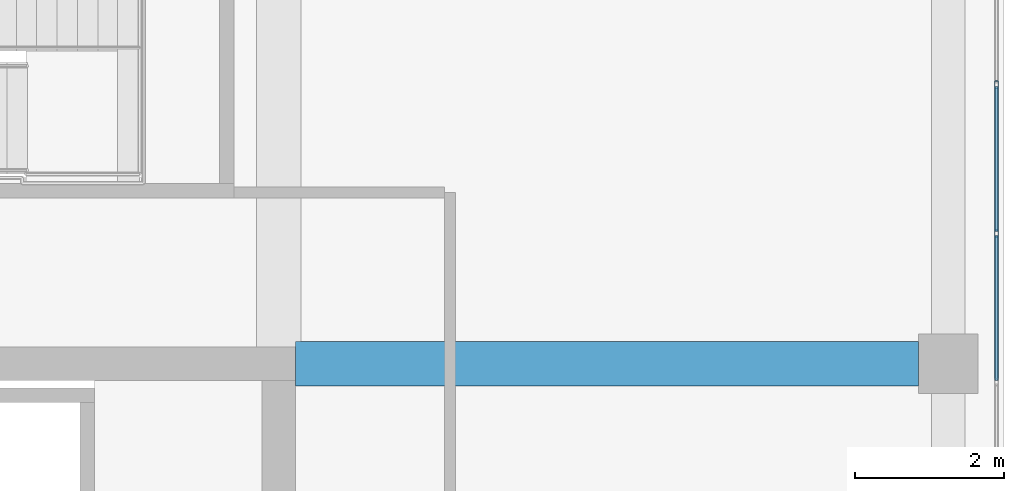
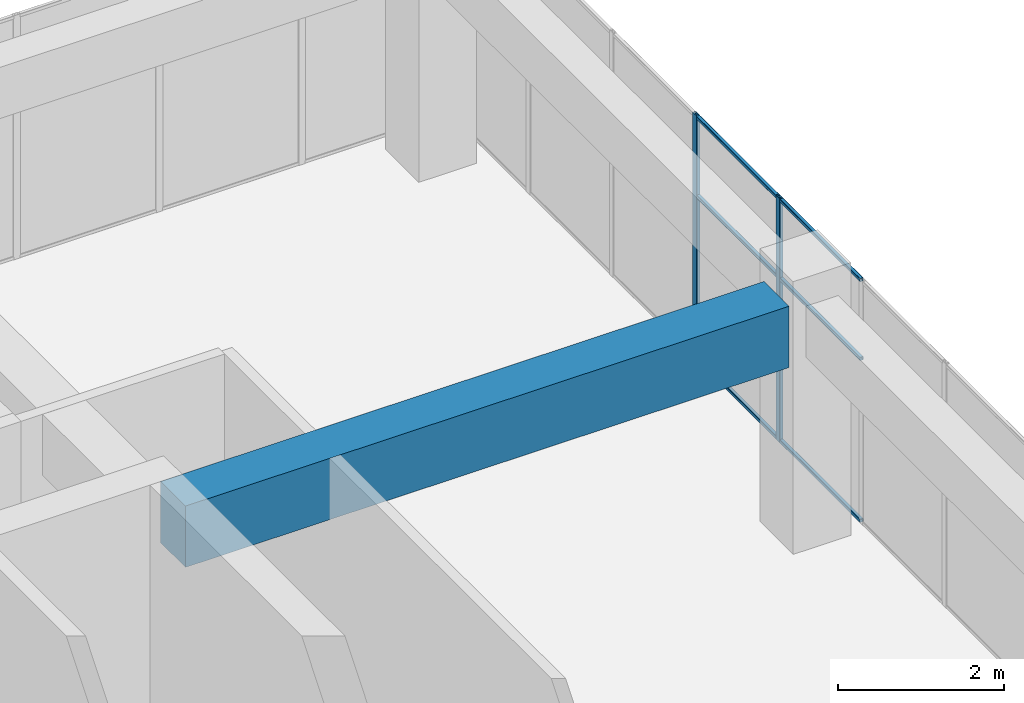
# One storey, part 51 of 72: 8 members, 1 beam, 1 element without a shape of its own.
"""IFC4 building model written with IfcOpenShell, lengths in metres."""

from ifc_helpers import new_model, si_unit, direction, frame, origin, origin_2d, place, context, subcontext, project, spatial, rectangle, hollow_rectangle, extrude, material, layer, layer_set, material_profile, profile_set, type_object, element, aggregate, save


model = new_model("IFC4")

# Units and contexts
model_context = context("Model", 3, precision=1e-05, world=origin(), true_north=direction((0.0, 1.0)))
body_context = subcontext(model_context, "Body", "Model", "MODEL_VIEW")
ifc_project = project(units=[si_unit("LENGTHUNIT", "METRE"), si_unit("AREAUNIT", "SQUARE_METRE"), si_unit("VOLUMEUNIT", "CUBIC_METRE"), si_unit("PLANEANGLEUNIT", "RADIAN"), si_unit("MASSUNIT", "GRAM", prefix="KILO")], contexts=[model_context])

# Site, building, storey
site_placement = place(None, origin())
site = spatial("IfcSite", under=ifc_project, at=site_placement, CompositionType="ELEMENT")
building_placement = place(site_placement, origin())
building = spatial("IfcBuilding", under=site, at=building_placement, Name="Tuart Plaza Theatre", CompositionType="ELEMENT")
storey_placement = place(building_placement, frame((0.0, 0.0, 13.5)))
storey = spatial("IfcBuildingStorey", under=building, at=storey_placement, Name="L03", CompositionType="ELEMENT", Elevation=13.5)

# Beam
ifc_material_1 = material(Name="Concrete N40 (40 MPa)", Category="concrete")
ifc_material_profile_1 = material_profile(ifc_material_1, rectangle(XDim=0.60009765625, YDim=0.89990234375, at=origin_2d()), Name="BEAM 600x900 Concrete N40 (40 MPa)")
ifc_profile_set_1 = profile_set([ifc_material_profile_1], Name="Concrete N40 (40 MPa)")
beam_type = type_object("IfcBeamType", Name="BEAM 600x900 Concrete N40 (40 MPa)", PredefinedType="BEAM", material=ifc_profile_set_1)
beam_placement = place(storey_placement, frame((141.22509765625, 83.0, 3.1298828125), z_axis=(1.0, 0.0, 0.0), x_axis=(0.0, 1.0, 0.0)))
element("IfcBeam", 1, at=beam_placement, inside=storey, type_object=beam_type, Name="RB196", PredefinedType="BEAM", context=body_context, shape_type="SweptSolid", body=[
    extrude(rectangle(XDim=0.60009765625, YDim=0.89990234375, at=origin_2d()), origin(), (0.0, 0.0, 1.0), 8.375),
])

# Curtain wall, members
ifc_material_2 = material(Name="Aluminium and glass", Category="aluminium")
ifc_layer = layer(ifc_material_2, 0.10009765625)
ifc_layer_set = layer_set([ifc_layer], Name="CURTAIN WALL 2000 module")
curtain_wall_type = type_object("IfcCurtainWallType", Name="CURTAIN WALL 2000 module", PredefinedType="NOTDEFINED", material=ifc_layer_set)
curtain_wall_placement = place(storey_placement, origin())
curtain_wall = element("IfcCurtainWall", 2, at=curtain_wall_placement, inside=storey, type_object=curtain_wall_type, Name="CW69", PredefinedType="NOTDEFINED")
ifc_material_3 = material(Name="Aluminium 6063-T5", Category="aluminium")
ifc_material_profile_2 = material_profile(ifc_material_3, hollow_rectangle(XDim=0.050048828125, YDim=0.10009765625, WallThickness=0.00390625, InnerFilletRadius=0.00390625, OuterFilletRadius=0.008056640625, at=origin_2d()), Name="RHS 100x50x4")
ifc_profile_set_2 = profile_set([ifc_material_profile_2], Name="Aluminium 6063-T5")
member_type_1 = type_object("IfcMemberType", Name="MULLION RHS 100x50x4", PredefinedType="MULLION", material=ifc_profile_set_2)
member_1_placement = place(storey_placement, frame((150.64990234375, 84.75, 0.0), z_axis=(0.0, 0.0, 1.0), x_axis=(-1.0, 0.0, 0.0)))
member_1 = element("IfcMember", 3, at=member_1_placement, type_object=member_type_1, Name="CW69 mullion 18", PredefinedType="MULLION", context=body_context, shape_type="SweptSolid", body=[
    extrude(hollow_rectangle(XDim=0.050048828125, YDim=0.10009765625, WallThickness=0.00390625, InnerFilletRadius=0.00390625, OuterFilletRadius=0.008056640625, at=origin_2d()), origin(), (0.0, 0.0, 1.0), 3.580078125),
])
member_2_placement = place(storey_placement, frame((150.64990234375, 86.75, 0.0), z_axis=(0.0, 0.0, 1.0), x_axis=(-1.0, 0.0, 0.0)))
member_2 = element("IfcMember", 4, at=member_2_placement, type_object=member_type_1, Name="CW69 mullion 19", PredefinedType="MULLION", context=body_context, shape_type="SweptSolid", body=[
    extrude(hollow_rectangle(XDim=0.050048828125, YDim=0.10009765625, WallThickness=0.00390625, InnerFilletRadius=0.00390625, OuterFilletRadius=0.008056640625, at=origin_2d()), origin(), (0.0, 0.0, 1.0), 3.580078125),
])
ifc_material_4 = material(Name="Aluminium 6063-T5", Category="aluminium")
ifc_material_profile_3 = material_profile(ifc_material_4, hollow_rectangle(XDim=0.050048828125, YDim=0.050048828125, WallThickness=0.00390625, InnerFilletRadius=0.00390625, OuterFilletRadius=0.008056640625, at=origin_2d()), Name="RHS 50x50x4")
ifc_profile_set_3 = profile_set([ifc_material_profile_3], Name="Aluminium 6063-T5")
member_type_2 = type_object("IfcMemberType", Name="TRANSOM RHS 50x50x4", PredefinedType="USERDEFINED", material=ifc_profile_set_3)
member_3_placement = place(storey_placement, frame((150.64990234375, 82.77490234375, 0.02490234375), z_axis=(0.0, 1.0, 0.0), x_axis=(-1.0, 0.0, 0.0)))
member_3 = element("IfcMember", 5, at=member_3_placement, type_object=member_type_2, Name="CW69 transom 17.1", ObjectType="TRANSOM", PredefinedType="USERDEFINED", context=body_context, shape_type="SweptSolid", body=[
    extrude(hollow_rectangle(XDim=0.050048828125, YDim=0.050048828125, WallThickness=0.00390625, InnerFilletRadius=0.00390625, OuterFilletRadius=0.008056640625, at=origin_2d()), origin(), (0.0, 0.0, 1.0), 1.9501953125),
])
member_4_placement = place(storey_placement, frame((150.64990234375, 82.77490234375, 2.39990234375), z_axis=(0.0, 1.0, 0.0), x_axis=(-1.0, 0.0, 0.0)))
member_4 = element("IfcMember", 6, at=member_4_placement, type_object=member_type_2, Name="CW69 transom 17.2", ObjectType="TRANSOM", PredefinedType="USERDEFINED", context=body_context, shape_type="SweptSolid", body=[
    extrude(hollow_rectangle(XDim=0.050048828125, YDim=0.050048828125, WallThickness=0.00390625, InnerFilletRadius=0.00390625, OuterFilletRadius=0.008056640625, at=origin_2d()), origin(), (0.0, 0.0, 1.0), 1.9501953125),
])
member_5_placement = place(storey_placement, frame((150.64990234375, 82.77490234375, 3.554931640625), z_axis=(0.0, 1.0, 0.0), x_axis=(-1.0, 0.0, 0.0)))
member_5 = element("IfcMember", 7, at=member_5_placement, type_object=member_type_2, Name="CW69 transom 17.3", ObjectType="TRANSOM", PredefinedType="USERDEFINED", context=body_context, shape_type="SweptSolid", body=[
    extrude(hollow_rectangle(XDim=0.050048828125, YDim=0.050048828125, WallThickness=0.00390625, InnerFilletRadius=0.00390625, OuterFilletRadius=0.008056640625, at=origin_2d()), origin(), (0.0, 0.0, 1.0), 1.9501953125),
])
member_6_placement = place(storey_placement, frame((150.64990234375, 84.77490234375, 0.02490234375), z_axis=(0.0, 1.0, 0.0), x_axis=(-1.0, 0.0, 0.0)))
member_6 = element("IfcMember", 8, at=member_6_placement, type_object=member_type_2, Name="CW69 transom 18.1", ObjectType="TRANSOM", PredefinedType="USERDEFINED", context=body_context, shape_type="SweptSolid", body=[
    extrude(hollow_rectangle(XDim=0.050048828125, YDim=0.050048828125, WallThickness=0.00390625, InnerFilletRadius=0.00390625, OuterFilletRadius=0.008056640625, at=origin_2d()), origin(), (0.0, 0.0, 1.0), 1.9501953125),
])
member_7_placement = place(storey_placement, frame((150.64990234375, 84.77490234375, 2.39990234375), z_axis=(0.0, 1.0, 0.0), x_axis=(-1.0, 0.0, 0.0)))
member_7 = element("IfcMember", 9, at=member_7_placement, type_object=member_type_2, Name="CW69 transom 18.2", ObjectType="TRANSOM", PredefinedType="USERDEFINED", context=body_context, shape_type="SweptSolid", body=[
    extrude(hollow_rectangle(XDim=0.050048828125, YDim=0.050048828125, WallThickness=0.00390625, InnerFilletRadius=0.00390625, OuterFilletRadius=0.008056640625, at=origin_2d()), origin(), (0.0, 0.0, 1.0), 1.9501953125),
])
member_8_placement = place(storey_placement, frame((150.64990234375, 84.77490234375, 3.554931640625), z_axis=(0.0, 1.0, 0.0), x_axis=(-1.0, 0.0, 0.0)))
member_8 = element("IfcMember", 10, at=member_8_placement, type_object=member_type_2, Name="CW69 transom 18.3", ObjectType="TRANSOM", PredefinedType="USERDEFINED", context=body_context, shape_type="SweptSolid", body=[
    extrude(hollow_rectangle(XDim=0.050048828125, YDim=0.050048828125, WallThickness=0.00390625, InnerFilletRadius=0.00390625, OuterFilletRadius=0.008056640625, at=origin_2d()), origin(), (0.0, 0.0, 1.0), 1.9501953125),
])
aggregate(curtain_wall, [member_1, member_2, member_3, member_4, member_5, member_6, member_7, member_8])

save(model, "model.ifc")
